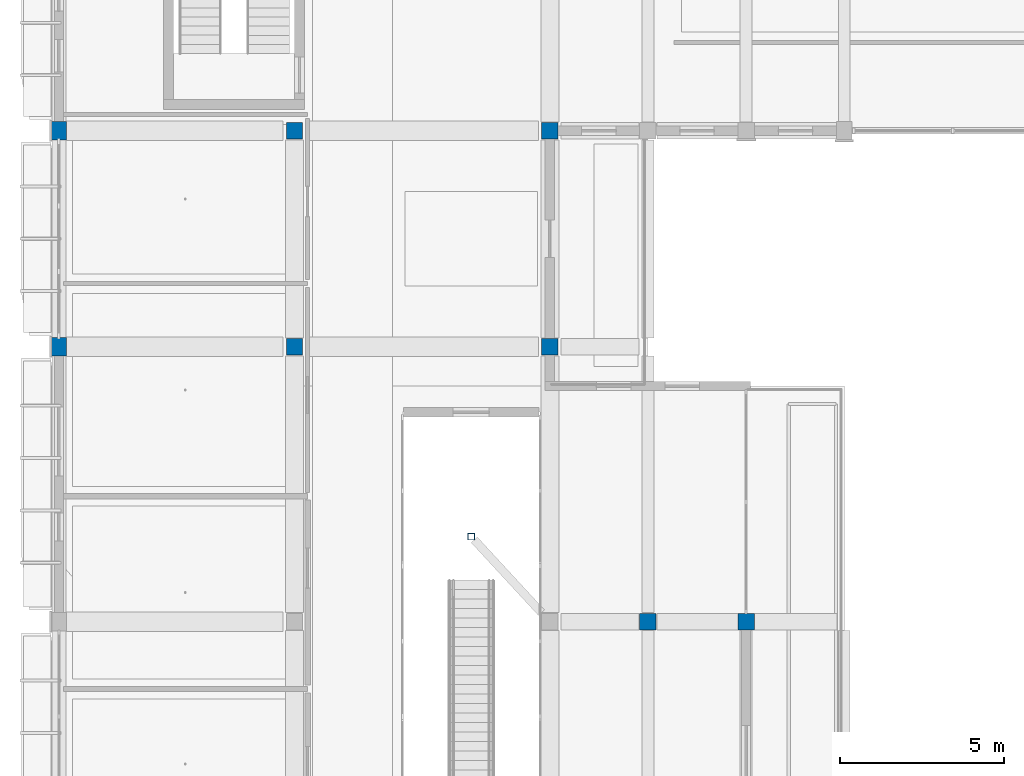
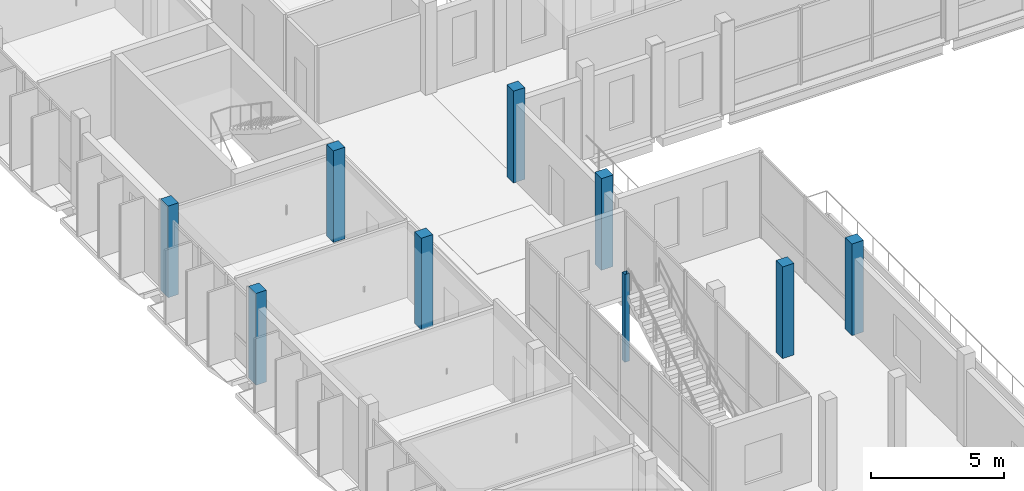
# One storey, part 2 of 85: 9 columns.
"""IFC4 building model written with IfcOpenShell, lengths in metres."""

from ifc_helpers import new_model, si_unit, derived_unit, direction, frame, origin, origin_2d, place, context, subcontext, project, spatial, rectangle, hollow_rectangle, extrude, material, material_profile, profile_set, type_object, element, save


model = new_model("IFC4")

# Units and contexts
model_context = context("Model", 3, precision=1e-05, world=origin(), true_north=direction((0.0, 1.0)))
body_context = subcontext(model_context, "Body", "Model", "MODEL_VIEW")
ifc_project = project(units=[si_unit("LENGTHUNIT", "METRE"), si_unit("AREAUNIT", "SQUARE_METRE"), si_unit("VOLUMEUNIT", "CUBIC_METRE"), si_unit("PLANEANGLEUNIT", "RADIAN"), si_unit("MASSUNIT", "GRAM", prefix="KILO"), derived_unit("THERMALTRANSMITTANCEUNIT", [(si_unit("POWERUNIT", "WATT"), 1), (si_unit("LENGTHUNIT", "METRE"), -2), (si_unit("THERMODYNAMICTEMPERATUREUNIT", "KELVIN"), -1)])], contexts=[model_context])

# Site, building, storey
site_placement = place(None, origin())
site = spatial("IfcSite", under=ifc_project, at=site_placement, CompositionType="ELEMENT")
building_placement = place(site_placement, origin())
building = spatial("IfcBuilding", under=site, at=building_placement, Name="Braskholm Square Health Centre", CompositionType="ELEMENT")
storey_placement = place(building_placement, frame((0.0, 0.0, 9.300048828125)))
storey = spatial("IfcBuildingStorey", under=building, at=storey_placement, Name="L03", CompositionType="ELEMENT", Elevation=9.300048828125)

# Columns
ifc_material_1 = material(Name="Concrete C40/50 (f'c = 40 MPa)", Category="concrete")
ifc_material_profile_1 = material_profile(ifc_material_1, rectangle(XDim=0.5, YDim=0.5, at=origin_2d()), Name="RC-500X500")
ifc_profile_set_1 = profile_set([ifc_material_profile_1], Name="Concrete C40/50 (f'c = 40 MPa)")
column_type_1 = type_object("IfcColumnType", Name="ColInteriorUpper500", PredefinedType="COLUMN", material=ifc_profile_set_1)
for number, where, z_axis, x_axis, name in (
    (1, (11.39990234375, 80.60009765625, 0.0), (0.0, 0.0, 1.0), (1.0, 0.0, 0.0), "Column 2/M L03"),
    (2, (11.39990234375, 87.199951171875, 0.0), (0.0, 0.0, 1.0), (1.0, 0.0, 0.0), "Column 2/N L03"),
    (3, (19.199951171875, 80.60009765625, 0.0), (0.0, 0.0, 1.0), (1.0, 0.0, 0.0), "Column 3/M L03"),
    (4, (19.199951171875, 87.199951171875, 0.0), (0.0, 0.0, 1.0), (1.0, 0.0, 0.0), "Column 3/N L03"),
    (5, (22.199951171875, 72.199951171875, 0.0), (0.0, 0.0, 1.0), (1.0, 0.0, 0.0), "Column 4/L L03"),
    (6, (25.199951171875, 72.199951171875, 0.0), (0.0, 0.0, 1.0), (1.0, 0.0, 0.0), "Column 5/L L03"),
):
    element("IfcColumn", number, at=place(storey_placement, frame(where, z_axis=z_axis, x_axis=x_axis)), inside=storey, type_object=column_type_1, Name=name, PredefinedType="COLUMN", context=body_context, shape_type="SweptSolid", body=[
        extrude(rectangle(XDim=0.5, YDim=0.5, at=origin_2d()), origin(), (0.0, 0.0, 1.0), 4.199951171875),
    ])
ifc_material_2 = material(Name="Precast concrete C40/50 architectural white", Category="concrete")
ifc_material_profile_2 = material_profile(ifc_material_2, rectangle(XDim=0.4599609375, YDim=0.56005859375, at=origin_2d()), Name="RC-460X560")
ifc_profile_set_2 = profile_set([ifc_material_profile_2], Name="Precast concrete C40/50 architectural white")
column_type_2 = type_object("IfcColumnType", Name="ColPrecastFrame460x560", PredefinedType="COLUMN", material=ifc_profile_set_2)
for number, where, z_axis, x_axis, name in (
    (7, (4.199951171875, 80.60009765625, 0.0), (0.0, 0.0, 1.0), (1.0, 0.0, 0.0), "Column 1/M L03"),
    (8, (4.199951171875, 87.199951171875, 0.0), (0.0, 0.0, 1.0), (1.0, 0.0, 0.0), "Column 1/N L03"),
):
    element("IfcColumn", number, at=place(storey_placement, frame(where, z_axis=z_axis, x_axis=x_axis)), inside=storey, type_object=column_type_2, Name=name, PredefinedType="COLUMN", context=body_context, shape_type="SweptSolid", body=[
        extrude(rectangle(XDim=0.4599609375, YDim=0.56005859375, at=origin_2d()), origin(), (0.0, 0.0, 1.0), 4.199951171875),
    ])
ifc_material_3 = material(Name="Steel ASTM A500 Grade C", Category="steel")
ifc_material_profile_3 = material_profile(ifc_material_3, hollow_rectangle(XDim=0.203125, YDim=0.203125, WallThickness=0.0087890625, at=origin_2d()), Name="HSS8X8X3/8")
ifc_profile_set_3 = profile_set([ifc_material_profile_3], Name="Steel ASTM A500 Grade C")
column_type_3 = type_object("IfcColumnType", Name="ColSteelPorchHSS8", PredefinedType="COLUMN", material=ifc_profile_set_3)
column_placement = place(storey_placement, frame((16.800048828125, 74.800048828125, 0.0), z_axis=(0.0, 0.0, 1.0), x_axis=(1.0, 0.0, 0.0)))
element("IfcColumn", 9, at=column_placement, inside=storey, type_object=column_type_3, Name="Column CS3E L03", PredefinedType="COLUMN", context=body_context, shape_type="SweptSolid", body=[
    extrude(hollow_rectangle(XDim=0.203125, YDim=0.203125, WallThickness=0.0087890625, at=origin_2d()), origin(), (0.0, 0.0, 1.0), 4.02001953125),
])

save(model, "model.ifc")
